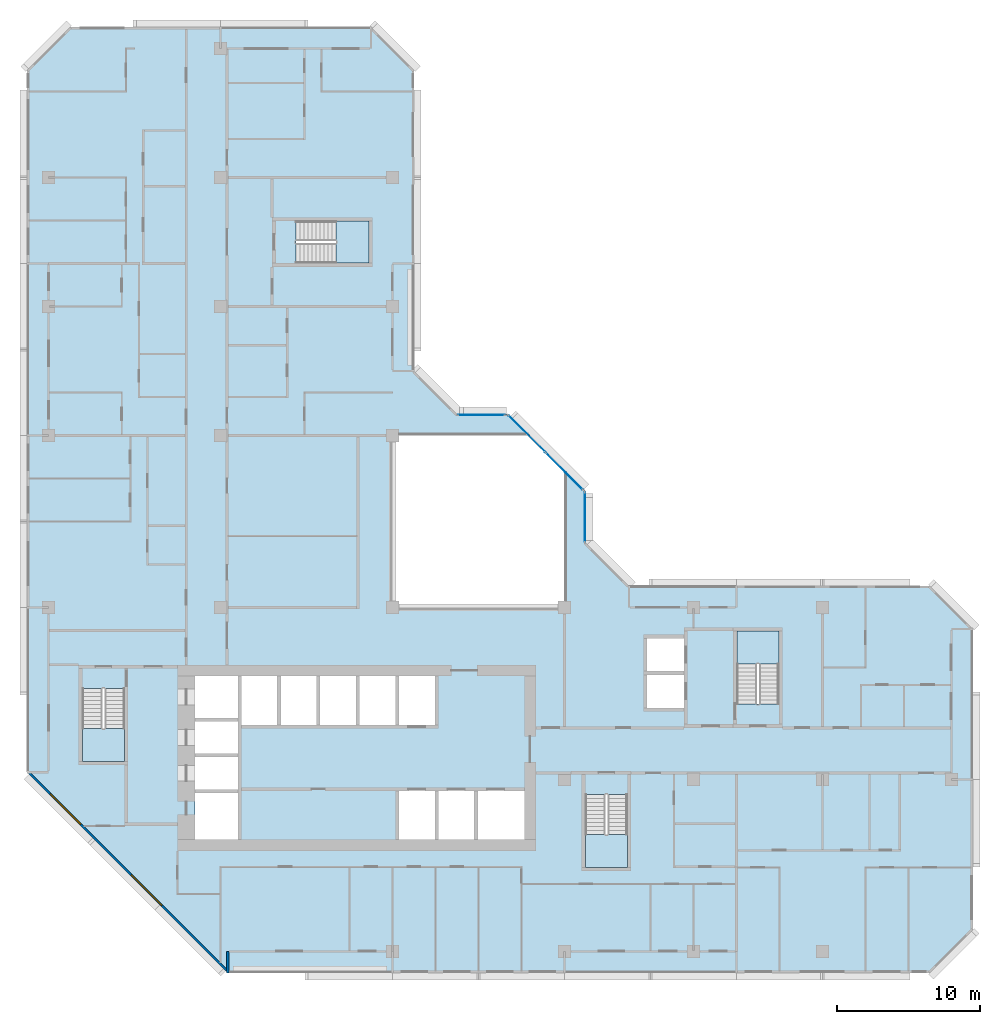
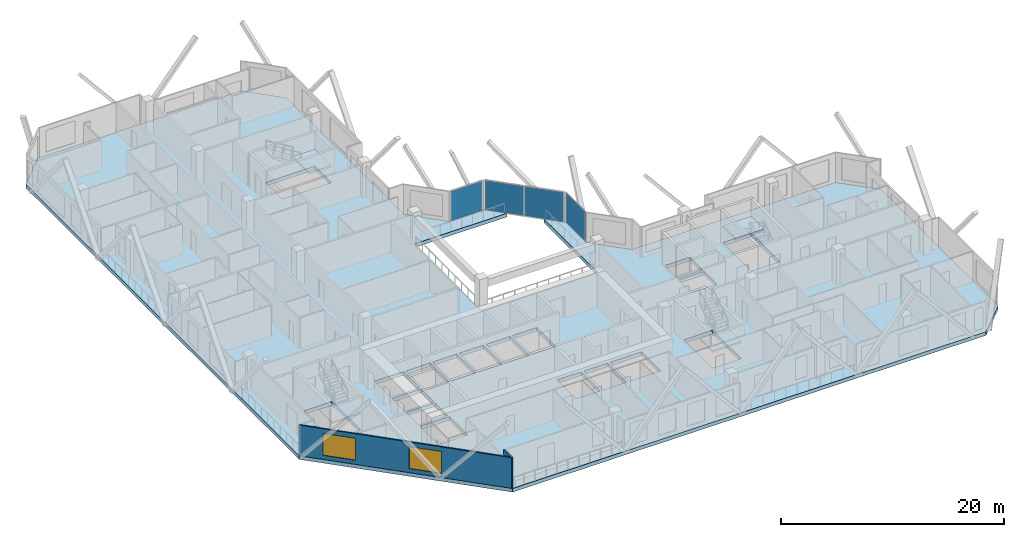
# One storey, part 3 of 14: 5 slabs, 4 plates, 2 walls, 2 windows, 2 openings, 7 elements without a shape of their own.
"""IFC4 building model written with IfcOpenShell, lengths in metres."""

import ifcopenshell
import ifcopenshell.guid

model = None  # the IFC model being written
_history = None  # IfcOwnerHistory: only IFC2X3 demands one
_inside = {}  # id of a spatial element -> (the spatial element, [elements in it])
_under = {}  # id of a project, library or spatial element -> (it, [spatial elements below it])
_declared = {}  # id of a project -> (the project, [libraries it declares])
_typed = {}  # id of a type object -> (the type object, [elements of that type])
_made_of = {}  # id of a material, layer set ... -> (it, [elements and type objects made of it])


def new_model(schema):
    """Start an empty IFC model of exactly this schema.

    Asked for "IFC4X3", IfcOpenShell would pick the latest addendum, in which some entities
    have other attributes; the version numbers below select the first issue.
    IFC2X3 requires an IfcOwnerHistory on every rooted entity: one is made here for all.
    """
    global model, _history
    if schema == "IFC4X3":
        model = ifcopenshell.file(schema_version=(4, 3, 0, 0))
    else:
        model = ifcopenshell.file(schema=schema)
    _inside.clear()
    _under.clear()
    _declared.clear()
    _typed.clear()
    _made_of.clear()
    _history = None
    if model.schema == "IFC2X3":
        org = make("IfcOrganization", Name="unknown")
        user = make(
            "IfcPersonAndOrganization",
            ThePerson=make("IfcPerson", FamilyName="unknown"),
            TheOrganization=org,
        )
        app = make(
            "IfcApplication",
            ApplicationDeveloper=org,
            Version="unknown",
            ApplicationFullName="unknown",
            ApplicationIdentifier="unknown",
        )
        _history = make(
            "IfcOwnerHistory",
            OwningUser=user,
            OwningApplication=app,
            ChangeAction="ADDED",
            CreationDate=0,
        )
    return model


def make(cls, **values):
    """One entity of the class cls with the attributes given. An attribute that is None is left unset."""
    return model.create_entity(
        cls, **{name: value for name, value in values.items() if value is not None}
    )


def rooted(cls, **values):
    """An entity with a GlobalId (a new one), such as an element, a storey or a relation."""
    return make(cls, GlobalId=ifcopenshell.guid.new(), OwnerHistory=_history, **values)


def si_unit(unit_type, name, prefix=None):
    """IfcSIUnit, for example si_unit("LENGTHUNIT", "METRE", prefix="MILLI")."""
    return make("IfcSIUnit", UnitType=unit_type, Prefix=prefix, Name=name)


def assignment(units):
    """IfcUnitAssignment: the units of a project."""
    return None if units is None else make("IfcUnitAssignment", Units=units)


def point(xyz):
    """IfcCartesianPoint."""
    return None if xyz is None else make("IfcCartesianPoint", Coordinates=xyz)


def direction(xyz):
    """IfcDirection."""
    return None if xyz is None else make("IfcDirection", DirectionRatios=xyz)


def frame(location, z_axis=None, x_axis=None):
    """IfcAxis2Placement3D, a coordinate frame: its origin and axes. An axis left out is left unset."""
    return make(
        "IfcAxis2Placement3D",
        Location=point(location),
        Axis=direction(z_axis),
        RefDirection=direction(x_axis),
    )


def frame_2d(location, x_axis=None):
    """IfcAxis2Placement2D, a coordinate frame in the plane: its origin and x axis."""
    return make(
        "IfcAxis2Placement2D", Location=point(location), RefDirection=direction(x_axis)
    )


def origin():
    """The frame at (0, 0, 0) with its axes left unset."""
    return frame((0.0, 0.0, 0.0))


def origin_2d():
    """The frame at (0, 0) in the plane with its x axis left unset."""
    return frame_2d((0.0, 0.0))


def place(relative_to, where):
    """IfcLocalPlacement: puts the frame where relative to a parent placement (None: the world)."""
    return make(
        "IfcLocalPlacement", PlacementRelTo=relative_to, RelativePlacement=where
    )


def context(
    kind, dimensions, precision=None, world=None, true_north=None, identifier=None
):
    """IfcGeometricRepresentationContext, for example the 3D "Model" context."""
    return make(
        "IfcGeometricRepresentationContext",
        ContextIdentifier=identifier,
        ContextType=kind,
        CoordinateSpaceDimension=dimensions,
        Precision=precision,
        WorldCoordinateSystem=world,
        TrueNorth=true_north,
    )


def subcontext(parent, identifier, kind, view, scale=None):
    """IfcGeometricRepresentationSubContext, for example "Body" below "Model"."""
    return make(
        "IfcGeometricRepresentationSubContext",
        ContextIdentifier=identifier,
        ContextType=kind,
        ParentContext=parent,
        TargetScale=scale,
        TargetView=view,
    )


def project(units=None, contexts=None):
    """IfcProject with its units and contexts."""
    return rooted(
        "IfcProject",
        Name="project",
        RepresentationContexts=contexts,
        UnitsInContext=assignment(units),
    )


def spatial(cls, under=None, at=None, **own):
    """A site, building, storey or space (cls), placed at a placement, below another one or the project."""
    s = rooted(cls, ObjectPlacement=at, **own)
    if under is not None:
        _under.setdefault(under.id(), (under, []))[1].append(s)
    return s


def polyline(points):
    """IfcPolyline through the points."""
    return make("IfcPolyline", Points=[point(p) for p in points])


def profile(cls, at=None, kind="AREA", **sizes):
    """A parametric profile (cls). Its sizes go by their IFC names, for example OverallWidth=200.0."""
    return make(cls, ProfileType=kind, Position=at, **sizes)


def rectangle(**sizes):
    """IfcRectangleProfileDef."""
    return profile("IfcRectangleProfileDef", **sizes)


def outline(outer, holes=None, kind="AREA"):
    """IfcArbitraryClosedProfileDef: a profile drawn as a closed curve; with holes, ...WithVoids."""
    if holes is None:
        return make("IfcArbitraryClosedProfileDef", ProfileType=kind, OuterCurve=outer)
    return make(
        "IfcArbitraryProfileDefWithVoids",
        ProfileType=kind,
        OuterCurve=outer,
        InnerCurves=holes,
    )


def extrude(swept, where, along, depth):
    """IfcExtrudedAreaSolid: the profile swept, set in the frame where, extruded along a direction by depth."""
    return make(
        "IfcExtrudedAreaSolid",
        SweptArea=swept,
        Position=where,
        ExtrudedDirection=direction(along),
        Depth=depth,
    )


def shape(context_of_items, identifier, shape_type, items):
    """IfcShapeRepresentation: the items that make up one representation, for example the "Body"."""
    return make(
        "IfcShapeRepresentation",
        ContextOfItems=context_of_items,
        RepresentationIdentifier=identifier,
        RepresentationType=shape_type,
        Items=items,
    )


def material(Name=None, Category=None):
    """IfcMaterial."""
    return make("IfcMaterial", Name=Name, Category=Category)


def layer(
    of_material, thickness, ventilated=None, Name=None, Category=None, Priority=None
):
    """IfcMaterialLayer: one layer of a wall or slab, of a material (None: an air gap)."""
    return make(
        "IfcMaterialLayer",
        Material=of_material,
        LayerThickness=thickness,
        IsVentilated=ventilated,
        Name=Name,
        Category=Category,
        Priority=Priority,
    )


def layer_set(layers, Name=None):
    """IfcMaterialLayerSet."""
    return make("IfcMaterialLayerSet", MaterialLayers=layers, LayerSetName=Name)


def made_of(thing, what):
    """Note that an element or type object is made of a material, layer set ...; save() writes the relation."""
    if what is not None:
        _made_of.setdefault(what.id(), (what, []))[1].append(thing)
    return thing


def type_object(cls, material=None, **own):
    """A type object (cls), such as IfcWallType, which elements share."""
    return made_of(rooted(cls, **own), material)


def element(
    cls,
    number,
    at=None,
    inside=None,
    cuts=None,
    type_object=None,
    material=None,
    context=None,
    identifier="Body",
    shape_type=None,
    held_by="IfcProductDefinitionShape",
    body=None,
    shapes=None,
    **own,
):
    """One element of the class cls, such as IfcWall. Its Tag is "e" and its number.

    at: its placement. inside: the storey or other place that contains it. cuts: it is an
    opening in that element (IfcRelVoidsElement). A single representation is given by context,
    identifier, shape_type and body (its items); several are given by shapes. held_by: the class
    of the entity that holds the representations. save() writes the other relations.
    """
    e = rooted(cls, Tag="e%d" % number, ObjectPlacement=at, **own)
    if body is not None:
        shapes = [shape(context, identifier, shape_type, body)]
    if shapes is not None:
        e.Representation = make(held_by, Representations=shapes)
    if inside is not None:
        _inside.setdefault(inside.id(), (inside, []))[1].append(e)
    if cuts is not None:
        rooted(
            "IfcRelVoidsElement", RelatingBuildingElement=cuts, RelatedOpeningElement=e
        )
    if type_object is not None:
        _typed.setdefault(type_object.id(), (type_object, []))[1].append(e)
    return made_of(e, material)


def fill(opening, filler):
    """IfcRelFillsElement: the door or window that sits in an opening."""
    return rooted(
        "IfcRelFillsElement",
        RelatingOpeningElement=opening,
        RelatedBuildingElement=filler,
    )


def aggregate(whole, parts):
    """IfcRelAggregates: a whole, such as a stair, and the parts it consists of."""
    return rooted("IfcRelAggregates", RelatingObject=whole, RelatedObjects=parts)


def save(model, path):
    """Write the relations noted so far, then the file.

    IfcRelAggregates (storeys below a building ...), IfcRelContainedInSpatialStructure (elements
    in a storey), IfcRelDefinesByType, IfcRelAssociatesMaterial and IfcRelDeclares: one each for
    every whole, place, type object, material and project.
    """
    for whole, parts in _under.values():
        aggregate(whole, parts)
    for where, things in _inside.values():
        rooted(
            "IfcRelContainedInSpatialStructure",
            RelatedElements=things,
            RelatingStructure=where,
        )
    for kind, things in _typed.values():
        rooted("IfcRelDefinesByType", RelatedObjects=things, RelatingType=kind)
    for what, things in _made_of.values():
        rooted("IfcRelAssociatesMaterial", RelatedObjects=things, RelatingMaterial=what)
    for by, libraries in _declared.values():
        rooted("IfcRelDeclares", RelatingContext=by, RelatedDefinitions=libraries)
    model.write(path)


model = new_model("IFC4")

# Units and contexts
model_context = context("Model", 3, precision=1e-05, world=origin(), true_north=direction((0.0, 1.0)))
body_context = subcontext(model_context, "Body", "Model", "MODEL_VIEW")
ifc_project = project(units=[si_unit("LENGTHUNIT", "METRE"), si_unit("AREAUNIT", "SQUARE_METRE"), si_unit("VOLUMEUNIT", "CUBIC_METRE"), si_unit("PLANEANGLEUNIT", "RADIAN"), si_unit("MASSUNIT", "GRAM", prefix="KILO")], contexts=[model_context])

# Site, building, storey
site_placement = place(None, origin())
site = spatial("IfcSite", under=ifc_project, at=site_placement, CompositionType="ELEMENT")
building_placement = place(site_placement, origin())
building = spatial("IfcBuilding", under=site, at=building_placement, Name="Chenar Terraces", CompositionType="ELEMENT")
storey_placement = place(building_placement, frame((0.0, 0.0, 179.89990234375)))
storey = spatial("IfcBuildingStorey", under=building, at=storey_placement, Name="L41", CompositionType="ELEMENT", Elevation=179.89990234375)

# Curtain wall, plate
ifc_material_1 = material(Name="Aluminium framed glazing", Category="aluminium")
ifc_layer_1 = layer(ifc_material_1, 0.14990234375)
ifc_layer_set_1 = layer_set([ifc_layer_1], Name="Aluminium framed glazing")
curtain_wall_type = type_object("IfcCurtainWallType", Name="Atrium mid-zone curtain wall", PredefinedType="NOTDEFINED", material=ifc_layer_set_1)
placement_1 = place(storey_placement, origin())
curtain_wall_1 = element("IfcCurtainWall", 1, at=placement_1, inside=storey, type_object=curtain_wall_type, Name="Atrium mid-zone curtain wall", PredefinedType="NOTDEFINED")
ifc_material_2 = material(Name="Low emissivity laminated glass, solar control coating", Category="glass")
ifc_layer_2 = layer(ifc_material_2, 0.031982421875)
ifc_layer_set_2 = layer_set([ifc_layer_2], Name="Low emissivity laminated glass, solar control coating")
plate_type = type_object("IfcPlateType", Name="Atrium mid-zone glazing panel 32", PredefinedType="CURTAIN_PANEL", material=ifc_layer_set_2)
plate_1_placement = place(storey_placement, frame((37.425048828125, 30.300048828125, 0.070068359375), z_axis=(0.0, 0.0, 1.0), x_axis=(0.0, 1.0, 0.0)))
plate_1 = element("IfcPlate", 2, at=plate_1_placement, type_object=plate_type, Name="CW7-1 panel 1.1", PredefinedType="CURTAIN_PANEL", context=body_context, shape_type="SweptSolid", body=[
    extrude(rectangle(XDim=3.4599609375, YDim=0.031982421875, at=origin_2d()), origin(), (0.0, 0.0, 1.0), 3.2099609375),
])
aggregate(curtain_wall_1, [plate_1])

# Curtain wall, plates
curtain_wall_2 = element("IfcCurtainWall", 3, at=placement_1, inside=storey, type_object=curtain_wall_type, Name="Atrium mid-zone curtain wall", PredefinedType="NOTDEFINED")
plate_2_placement = place(storey_placement, frame((35.978515625, 33.515380859375, 0.070068359375), z_axis=(0.0, 0.0, 1.0), x_axis=(-0.707106781187, 0.707106781187, 0.0)))
plate_2 = element("IfcPlate", 4, at=plate_2_placement, type_object=plate_type, Name="CW7-2 panel 1.1", PredefinedType="CURTAIN_PANEL", context=body_context, shape_type="SweptSolid", body=[
    extrude(rectangle(XDim=3.61328125, YDim=0.031982421875, at=origin_2d()), origin(), (0.0, 0.0, 1.0), 3.2099609375),
])
plate_3_placement = place(storey_placement, frame((33.3740234375, 36.119873046875, 0.070068359375), z_axis=(0.0, 0.0, 1.0), x_axis=(-0.707106781187, 0.707106781187, 0.0)))
plate_3 = element("IfcPlate", 5, at=plate_3_placement, type_object=plate_type, Name="CW7-2 panel 2.1", PredefinedType="CURTAIN_PANEL", context=body_context, shape_type="SweptSolid", body=[
    extrude(rectangle(XDim=3.61328125, YDim=0.031982421875, at=origin_2d()), origin(), (0.0, 0.0, 1.0), 3.2099609375),
])
aggregate(curtain_wall_2, [plate_2, plate_3])

# Curtain wall, plate
curtain_wall_3 = element("IfcCurtainWall", 6, at=placement_1, inside=storey, type_object=curtain_wall_type, Name="Atrium mid-zone curtain wall", PredefinedType="NOTDEFINED")
plate_4_placement = place(storey_placement, frame((30.199951171875, 37.425048828125, 0.070068359375), z_axis=(0.0, 0.0, 1.0), x_axis=(-1.0, 0.0, 0.0)))
plate_4 = element("IfcPlate", 7, at=plate_4_placement, type_object=plate_type, Name="CW7-3 panel 1.1", PredefinedType="CURTAIN_PANEL", context=body_context, shape_type="SweptSolid", body=[
    extrude(rectangle(XDim=3.260009765625, YDim=0.031982421875, at=origin_2d()), origin(), (0.0, 0.0, 1.0), 3.2099609375),
])
aggregate(curtain_wall_3, [plate_4])

# Stair, slab
ifc_material_3 = material(Name="Reinforced concrete C40/50", Category="concrete")
stair_type = type_object("IfcStairType", Name="Core stair 1400 half-turn", PredefinedType="HALF_TURN_STAIR", material=ifc_material_3)
stair_1 = element("IfcStair", 8, at=placement_1, inside=storey, type_object=stair_type, Name="L41 Stair 1", PredefinedType="HALF_TURN_STAIR")
ifc_material_4 = material(Name="Reinforced concrete C40/50", Category="concrete")
ifc_layer_3 = layer(ifc_material_4, 0.199951171875)
ifc_layer_set_3 = layer_set([ifc_layer_3], Name="Reinforced concrete C40/50")
slab_type_1 = type_object("IfcSlabType", Name="Core stair landing 200", PredefinedType="LANDING", material=ifc_layer_set_3)
placement_2 = place(storey_placement, frame((0.0, 0.0, 1.675048828125)))
slab_1 = element("IfcSlab", 9, at=placement_2, type_object=slab_type_1, Name="ST1 landing 1", PredefinedType="LANDING", context=body_context, shape_type="SweptSolid", body=[
    extrude(outline(polyline([(2.35009765625, 15.550048828125), (2.35009765625, 13.25), (5.300048828125, 13.25), (5.300048828125, 15.550048828125), (2.35009765625, 15.550048828125)])), origin(), (0.0, 0.0, 1.0), 0.199951171875),
])
aggregate(stair_1, [slab_1])

stair_2 = element("IfcStair", 10, at=placement_1, inside=storey, type_object=stair_type, Name="L41 Stair 2", PredefinedType="HALF_TURN_STAIR")
slab_2 = element("IfcSlab", 11, at=placement_2, type_object=slab_type_1, Name="ST2 landing 1", PredefinedType="LANDING", context=body_context, shape_type="SweptSolid", body=[
    extrude(outline(polyline([(37.449951171875, 8.14990234375), (37.449951171875, 5.85009765625), (40.39990234375, 5.85009765625), (40.39990234375, 8.14990234375), (37.449951171875, 8.14990234375)])), origin(), (0.0, 0.0, 1.0), 0.199951171875),
])
aggregate(stair_2, [slab_2])

stair_3 = element("IfcStair", 12, at=placement_1, inside=storey, type_object=stair_type, Name="L41 Stair 3", PredefinedType="HALF_TURN_STAIR")
slab_3 = element("IfcSlab", 13, at=placement_2, type_object=slab_type_1, Name="ST3 landing 1", PredefinedType="LANDING", context=body_context, shape_type="SweptSolid", body=[
    extrude(outline(polyline([(50.97509765625, 20.050048828125), (50.97509765625, 22.35009765625), (48.02490234375, 22.35009765625), (48.02490234375, 20.050048828125), (50.97509765625, 20.050048828125)])), origin(), (0.0, 0.0, 1.0), 0.199951171875),
])
aggregate(stair_3, [slab_3])

stair_4 = element("IfcStair", 14, at=placement_1, inside=storey, type_object=stair_type, Name="L41 Stair 4", PredefinedType="HALF_TURN_STAIR")
slab_4 = element("IfcSlab", 15, at=placement_2, type_object=slab_type_1, Name="ST4 landing 1", PredefinedType="LANDING", context=body_context, shape_type="SweptSolid", body=[
    extrude(outline(polyline([(20.050048828125, 48.02490234375), (22.35009765625, 48.02490234375), (22.35009765625, 50.97509765625), (20.050048828125, 50.97509765625), (20.050048828125, 48.02490234375)])), origin(), (0.0, 0.0, 1.0), 0.199951171875),
])
aggregate(stair_4, [slab_4])

# Slab
ifc_material_5 = material(Name="Concrete C40/50", Category="concrete")
ifc_layer_4 = layer(ifc_material_5, 0.39990234375)
ifc_layer_set_4 = layer_set([ifc_layer_4], Name="Concrete C40/50")
slab_type_2 = type_object("IfcSlabType", Name="Floor slab 400 Concrete C40/50", PredefinedType="FLOOR", material=ifc_layer_set_4)
slab_5_placement = place(storey_placement, frame((0.0, 0.0, -0.39990234375)))
element("IfcSlab", 16, at=slab_5_placement, inside=storey, type_object=slab_type_2, Name="Floor slab L41", PredefinedType="FLOOR", context=body_context, shape_type="SweptSolid", body=[
    extrude(outline(polyline([(64.5, 22.5), (64.5, 1.5), (61.5, -1.5), (12.5, -1.5), (-1.5, 12.5), (-1.5, 61.5), (1.5, 64.5), (22.5, 64.5), (25.5, 61.5), (25.5, 40.5), (28.5, 37.5), (32.10009765625, 37.5), (33.60009765625, 36.0), (24.0, 36.0), (24.0, 24.0), (36.0, 24.0), (36.0, 33.60009765625), (37.5, 32.10009765625), (37.5, 28.5), (40.5, 25.5), (61.5, 25.5), (64.5, 22.5)]), holes=[polyline([(13.199951171875, 11.050048828125), (10.199951171875, 11.050048828125), (10.199951171875, 7.800048828125), (13.199951171875, 7.800048828125), (13.199951171875, 11.050048828125)]), polyline([(13.199951171875, 13.550048828125), (10.199951171875, 13.550048828125), (10.199951171875, 11.300048828125), (13.199951171875, 11.300048828125), (13.199951171875, 13.550048828125)]), polyline([(13.199951171875, 16.050048828125), (10.199951171875, 16.050048828125), (10.199951171875, 13.800048828125), (13.199951171875, 13.800048828125), (13.199951171875, 16.050048828125)]), polyline([(2.35009765625, 13.25), (5.300048828125, 13.25), (5.300048828125, 18.35009765625), (2.35009765625, 18.35009765625), (2.35009765625, 13.25)]), polyline([(15.949951171875, 19.199951171875), (13.449951171875, 19.199951171875), (13.449951171875, 15.800048828125), (15.949951171875, 15.800048828125), (15.949951171875, 19.199951171875)]), polyline([(18.699951171875, 19.199951171875), (16.199951171875, 19.199951171875), (16.199951171875, 15.800048828125), (18.699951171875, 15.800048828125), (18.699951171875, 19.199951171875)]), polyline([(21.449951171875, 19.199951171875), (18.949951171875, 19.199951171875), (18.949951171875, 15.800048828125), (21.449951171875, 15.800048828125), (21.449951171875, 19.199951171875)]), polyline([(24.199951171875, 15.800048828125), (24.199951171875, 19.199951171875), (21.699951171875, 19.199951171875), (21.699951171875, 15.800048828125), (24.199951171875, 15.800048828125)]), polyline([(13.199951171875, 16.300048828125), (13.199951171875, 19.199951171875), (10.199951171875, 19.199951171875), (10.199951171875, 16.300048828125), (13.199951171875, 16.300048828125)]), polyline([(22.35009765625, 48.02490234375), (22.35009765625, 50.97509765625), (17.25, 50.97509765625), (17.25, 48.02490234375), (22.35009765625, 48.02490234375)]), polyline([(37.449951171875, 5.85009765625), (40.39990234375, 5.85009765625), (40.39990234375, 10.949951171875), (37.449951171875, 10.949951171875), (37.449951171875, 5.85009765625)]), polyline([(26.949951171875, 11.199951171875), (24.449951171875, 11.199951171875), (24.449951171875, 7.800048828125), (26.949951171875, 7.800048828125), (26.949951171875, 11.199951171875)]), polyline([(29.699951171875, 7.800048828125), (29.699951171875, 11.199951171875), (27.199951171875, 11.199951171875), (27.199951171875, 7.800048828125), (29.699951171875, 7.800048828125)]), polyline([(33.199951171875, 7.800048828125), (33.199951171875, 11.199951171875), (29.949951171875, 11.199951171875), (29.949951171875, 7.800048828125), (33.199951171875, 7.800048828125)]), polyline([(26.949951171875, 19.199951171875), (24.449951171875, 19.199951171875), (24.449951171875, 15.800048828125), (26.949951171875, 15.800048828125), (26.949951171875, 19.199951171875)]), polyline([(44.35009765625, 19.300048828125), (41.75, 19.300048828125), (41.75, 17.0), (44.35009765625, 17.0), (44.35009765625, 19.300048828125)]), polyline([(50.97509765625, 22.35009765625), (48.02490234375, 22.35009765625), (48.02490234375, 17.25), (50.97509765625, 17.25), (50.97509765625, 22.35009765625)]), polyline([(44.35009765625, 19.550048828125), (44.35009765625, 21.85009765625), (41.75, 21.85009765625), (41.75, 19.550048828125), (44.35009765625, 19.550048828125)])]), origin(), (0.0, 0.0, 1.0), 0.39990234375),
])

# Wall
ifc_material_6 = material(Name="Terracotta cladding on insulated backing", Category="masonry")
ifc_layer_5 = layer(ifc_material_6, 0.14990234375)
ifc_layer_set_5 = layer_set([ifc_layer_5], Name="Terracotta cladding on insulated backing")
wall_type_1 = type_object("IfcWallType", Name="Loggia return wall 150", PredefinedType="SOLIDWALL", material=ifc_layer_set_5)
wall_1_placement = place(storey_placement, frame((12.5, -1.5, 0.0), z_axis=(0.0, 0.0, 1.0), x_axis=(0.0, 1.0, 0.0)))
element("IfcWall", 17, at=wall_1_placement, inside=storey, type_object=wall_type_1, Name="Loggia return wall", PredefinedType="SOLIDWALL", context=body_context, shape_type="SweptSolid", body=[
    extrude(rectangle(XDim=1.5, YDim=0.14990234375, at=frame_2d((0.75, 0.0))), origin(), (0.0, 0.0, 1.0), 3.35009765625),
])

# Wall, openings, windows
ifc_material_7 = material(Name="Terracotta cladding on insulated backing", Category="masonry")
ifc_layer_6 = layer(ifc_material_7, 0.14990234375)
ifc_layer_set_6 = layer_set([ifc_layer_6], Name="Terracotta cladding on insulated backing")
wall_type_2 = type_object("IfcWallType", Name="Terracotta rainscreen wall 150", PredefinedType="SOLIDWALL", material=ifc_layer_set_6)
wall_2_placement = place(storey_placement, frame((-1.447021484375, 12.552978515625, 0.0), z_axis=(0.0, 0.0, 1.0), x_axis=(0.707106781187, -0.707106781187, 0.0)))
wall_2 = element("IfcWall", 18, at=wall_2_placement, inside=storey, type_object=wall_type_2, Name="Terracotta rainscreen wall", PredefinedType="SOLIDWALL", context=body_context, shape_type="SweptSolid", body=[
    extrude(rectangle(XDim=19.799072265625, YDim=0.14990234375, at=frame_2d((9.8994140625, 0.0))), origin(), (0.0, 0.0, 1.0), 3.35009765625),
])
opening_1_placement = place(wall_2_placement, frame((2.21240234375, 0.0, 0.449951171875)))
opening_1 = element("IfcOpeningElement", 19, at=opening_1_placement, cuts=wall_2, Name="Opening W300x240", PredefinedType="OPENING", context=body_context, shape_type="SweptSolid", body=[
    extrude(rectangle(XDim=3.0, YDim=2.39990234375, at=frame_2d((1.5, 1.199951171875))), frame((0.0, 0.0849609375, 0.0), z_axis=(0.0, -1.0, 0.0), x_axis=(1.0, 0.0, 0.0)), (0.0, 0.0, 1.0), 0.169921875),
])
opening_2_placement = place(wall_2_placement, frame((10.215576171875, 0.0, 0.449951171875)))
opening_2 = element("IfcOpeningElement", 20, at=opening_2_placement, cuts=wall_2, Name="Opening W300x240", PredefinedType="OPENING", context=body_context, shape_type="SweptSolid", body=[
    extrude(rectangle(XDim=3.0, YDim=2.39990234375, at=frame_2d((1.5, 1.199951171875))), frame((0.0, 0.0849609375, 0.0), z_axis=(0.0, -1.0, 0.0), x_axis=(1.0, 0.0, 0.0)), (0.0, 0.0, 1.0), 0.169921875),
])
ifc_material_8 = material(Name="Low emissivity double glazing, aluminium frame", Category="aluminium")
window_type = type_object("IfcWindowType", Name="Fixed light 3000 x 2400", PartitioningType="SINGLE_PANEL", PredefinedType="WINDOW", material=ifc_material_8)
window_1_placement = place(opening_1_placement, origin())
window_1 = element("IfcWindow", 21, at=window_1_placement, inside=storey, type_object=window_type, Name="Window", OverallHeight=2.39990234375, OverallWidth=3.0, PartitioningType="SINGLE_PANEL", PredefinedType="WINDOW", context=body_context, shape_type="SweptSolid", body=[
    extrude(rectangle(XDim=3.0, YDim=2.39990234375, at=frame_2d((1.5, 1.199951171875))), frame((0.0, 0.030029296875, 0.0), z_axis=(0.0, -1.0, 0.0), x_axis=(1.0, 0.0, 0.0)), (0.0, 0.0, 1.0), 0.06005859375),
])
fill(opening_1, window_1)
window_2_placement = place(opening_2_placement, origin())
window_2 = element("IfcWindow", 22, at=window_2_placement, inside=storey, type_object=window_type, Name="Window", OverallHeight=2.39990234375, OverallWidth=3.0, PartitioningType="SINGLE_PANEL", PredefinedType="WINDOW", context=body_context, shape_type="SweptSolid", body=[
    extrude(rectangle(XDim=3.0, YDim=2.39990234375, at=frame_2d((1.5, 1.199951171875))), frame((0.0, 0.030029296875, 0.0), z_axis=(0.0, -1.0, 0.0), x_axis=(1.0, 0.0, 0.0)), (0.0, 0.0, 1.0), 0.06005859375),
])
fill(opening_2, window_2)

save(model, "model.ifc")
